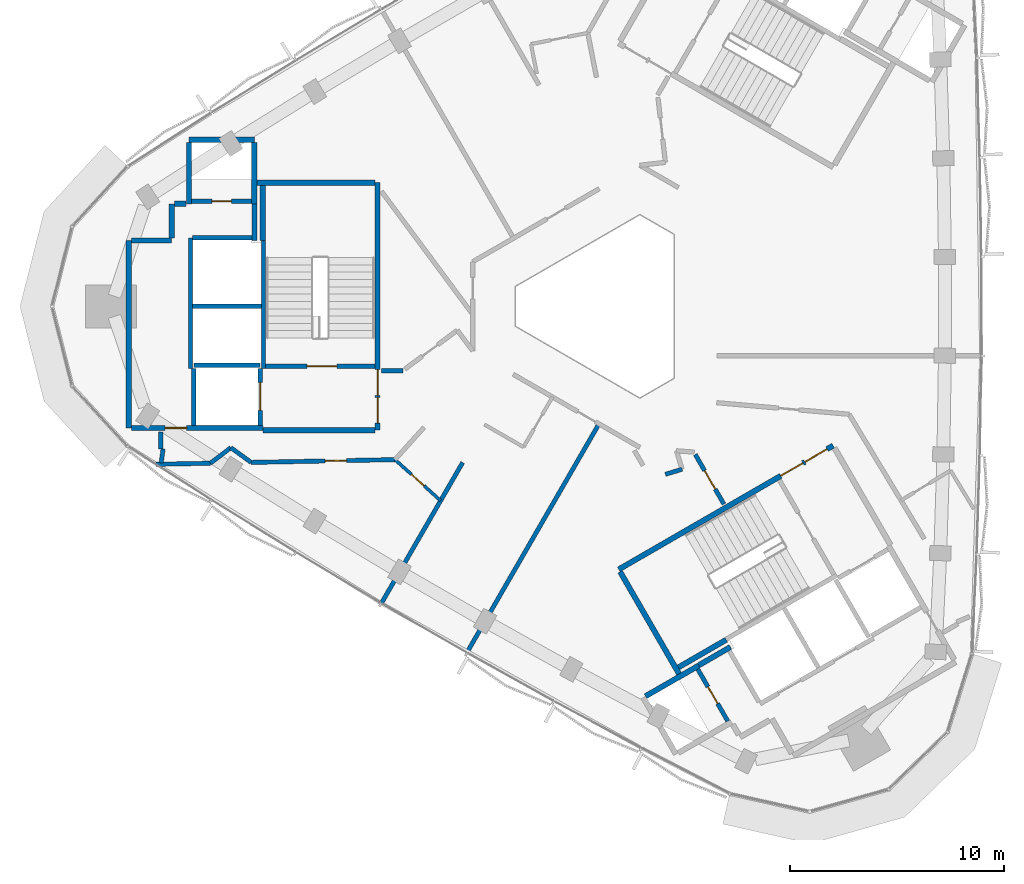
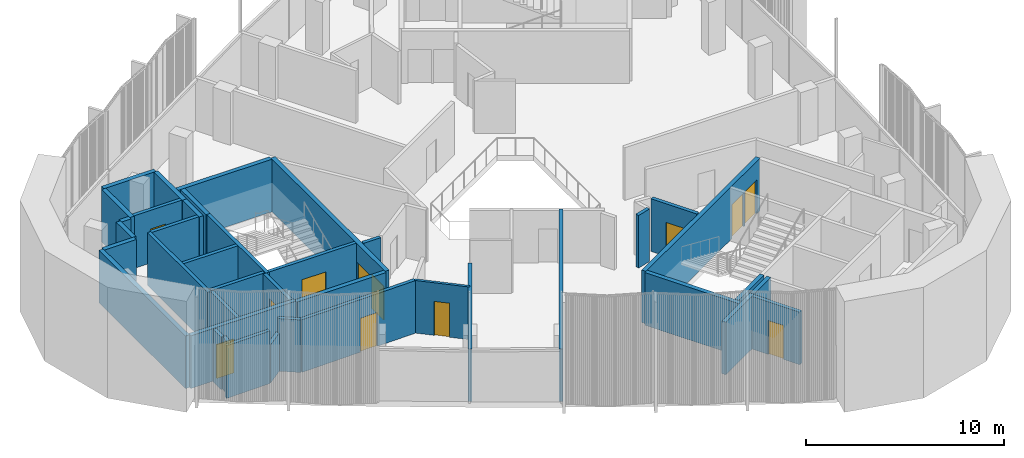
# One storey, part 6 of 13: 40 walls, 12 doors, 12 openings.
"""IFC4 building model written with IfcOpenShell, lengths in metres."""

from ifc_helpers import new_model, si_unit, direction, frame, frame_2d, origin, place, context, subcontext, project, spatial, rectangle, extrude, material, layer, layer_set, type_object, element, fill, save


model = new_model("IFC4")

# Units and contexts
model_context = context("Model", 3, precision=1e-05, world=origin(), true_north=direction((0.0, 1.0)))
body_context = subcontext(model_context, "Body", "Model", "MODEL_VIEW")
ifc_project = project(units=[si_unit("LENGTHUNIT", "METRE"), si_unit("AREAUNIT", "SQUARE_METRE"), si_unit("VOLUMEUNIT", "CUBIC_METRE"), si_unit("PLANEANGLEUNIT", "RADIAN"), si_unit("MASSUNIT", "GRAM", prefix="KILO")], contexts=[model_context])

# Site, building, storey
site_placement = place(None, origin())
site = spatial("IfcSite", under=ifc_project, at=site_placement, CompositionType="ELEMENT")
building_placement = place(site_placement, origin())
building = spatial("IfcBuilding", under=site, at=building_placement, Name="Tamra Quay Hotel Tower", CompositionType="ELEMENT")
storey_placement = place(building_placement, frame((0.0, 0.0, 291.0)))
storey = spatial("IfcBuildingStorey", under=building, at=storey_placement, Name="L73", CompositionType="ELEMENT", Elevation=291.0)

# Walls
ifc_material_1 = material(Name="Concrete M70", Category="concrete")
ifc_layer_1 = layer(ifc_material_1, 0.199951171875)
ifc_layer_set_1 = layer_set([ifc_layer_1], Name="Concrete M70 core wall 200")
wall_type_1 = type_object("IfcWallType", Name="Concrete M70 core wall 200", PredefinedType="SHEAR", material=ifc_layer_set_1)
wall_1_placement = place(storey_placement, frame((-16.162109375, 3.073974609375, 0.0), z_axis=(0.0, 0.0, 1.0), x_axis=(0.0, -1.0, 0.0)))
element("IfcWall", 1, at=wall_1_placement, inside=storey, type_object=wall_type_1, Name="CW2", PredefinedType="SHEAR", context=body_context, shape_type="SweptSolid", body=[
    extrude(rectangle(XDim=5.97412109375, YDim=0.199951171875, at=frame_2d((2.987060546875, 0.0))), origin(), (0.0, 0.0, 1.0), 3.25),
])
wall_2_placement = place(storey_placement, frame((-19.5625, -2.900146484375, 0.0), z_axis=(0.0, 0.0, 1.0), x_axis=(0.0, 1.0, 0.0)))
element("IfcWall", 2, at=wall_2_placement, inside=storey, type_object=wall_type_1, Name="CW2", PredefinedType="SHEAR", context=body_context, shape_type="SweptSolid", body=[
    extrude(rectangle(XDim=6.100341796875, YDim=0.199951171875, at=frame_2d((3.05029296875, 0.0))), origin(), (0.0, 0.0, 1.0), 3.25),
])

# Wall, opening, door
wall_3_placement = place(storey_placement, frame((-10.96337890625, -2.800048828125, 0.0), z_axis=(0.0, 0.0, 1.0), x_axis=(-1.0, 0.0, 0.0)))
wall_3 = element("IfcWall", 3, at=wall_3_placement, inside=storey, type_object=wall_type_1, Name="CW2", PredefinedType="SHEAR", context=body_context, shape_type="SweptSolid", body=[
    extrude(rectangle(XDim=5.097900390625, YDim=0.199951171875, at=frame_2d((2.548828125, 0.0))), origin(), (0.0, 0.0, 1.0), 3.25),
])
opening_1_placement = place(wall_3_placement, frame((1.77392578125, 0.0, 0.0)))
opening_1 = element("IfcOpeningElement", 4, at=opening_1_placement, cuts=wall_3, Name="Opening FD2", PredefinedType="OPENING", context=body_context, shape_type="SweptSolid", body=[
    extrude(rectangle(XDim=1.39990234375, YDim=2.10009765625, at=frame_2d((0.699951171875, 1.050048828125))), frame((0.0, 0.10986328125, 0.0), z_axis=(0.0, -1.0, 0.0), x_axis=(1.0, 0.0, 0.0)), (0.0, 0.0, 1.0), 0.219970703125),
])
ifc_material_2 = material(Name="Core door FD2 1400x2100 LH")
door_type_1 = type_object("IfcDoorType", Name="Core door FD2 1400x2100 LH", OperationType="NOTDEFINED", PredefinedType="DOOR", material=ifc_material_2)
door_1_placement = place(opening_1_placement, origin())
door_1 = element("IfcDoor", 5, at=door_1_placement, inside=storey, type_object=door_type_1, Name="FD2", OperationType="SINGLE_SWING_LEFT", OverallHeight=2.10009765625, OverallWidth=1.39990234375, PredefinedType="DOOR", context=body_context, shape_type="SweptSolid", body=[
    extrude(rectangle(XDim=1.39990234375, YDim=2.10009765625, at=frame_2d((0.699951171875, 1.050048828125))), frame((0.0, 0.02490234375, 0.0), z_axis=(0.0, -1.0, 0.0), x_axis=(1.0, 0.0, 0.0)), (0.0, 0.0, 1.0), 0.050048828125),
])
fill(opening_1, door_1)

# Wall
wall_4_placement = place(storey_placement, frame((-16.26318359375, 0.0, 0.0), z_axis=(0.0, 0.0, 1.0), x_axis=(-1.0, 0.0, 0.0)))
element("IfcWall", 6, at=wall_4_placement, inside=storey, type_object=wall_type_1, Name="CW2", PredefinedType="SHEAR", context=body_context, shape_type="SweptSolid", body=[
    extrude(rectangle(XDim=3.1982421875, YDim=0.199951171875, at=frame_2d((1.59912109375, 0.0))), origin(), (0.0, 0.0, 1.0), 3.25),
])

# Wall, opening, door
wall_5_placement = place(storey_placement, frame((-19.51123046875, 4.91015625, 0.0), z_axis=(0.0, 0.0, 1.0), x_axis=(1.0, 0.0, 0.0)))
wall_5 = element("IfcWall", 7, at=wall_5_placement, inside=storey, type_object=wall_type_1, Name="CW2", PredefinedType="SHEAR", context=body_context, shape_type="SweptSolid", body=[
    extrude(rectangle(XDim=2.7978515625, YDim=0.199951171875, at=frame_2d((1.39892578125, 0.0))), origin(), (0.0, 0.0, 1.0), 3.25),
])
opening_2_placement = place(wall_5_placement, frame((0.948974609375, 0.0, 0.0)))
opening_2 = element("IfcOpeningElement", 8, at=opening_2_placement, cuts=wall_5, Name="Opening D1", PredefinedType="OPENING", context=body_context, shape_type="SweptSolid", body=[
    extrude(rectangle(XDim=0.89990234375, YDim=2.10009765625, at=frame_2d((0.449951171875, 1.050048828125))), frame((0.0, 0.10986328125, 0.0), z_axis=(0.0, -1.0, 0.0), x_axis=(1.0, 0.0, 0.0)), (0.0, 0.0, 1.0), 0.219970703125),
])
ifc_material_3 = material(Name="Core door D1 900x2100 RH")
door_type_2 = type_object("IfcDoorType", Name="Core door D1 900x2100 RH", OperationType="NOTDEFINED", PredefinedType="DOOR", material=ifc_material_3)
door_2_placement = place(opening_2_placement, origin())
door_2 = element("IfcDoor", 9, at=door_2_placement, inside=storey, type_object=door_type_2, Name="D1", OperationType="SINGLE_SWING_RIGHT", OverallHeight=2.10009765625, OverallWidth=0.89990234375, PredefinedType="DOOR", context=body_context, shape_type="SweptSolid", body=[
    extrude(rectangle(XDim=0.89990234375, YDim=2.10009765625, at=frame_2d((0.449951171875, 1.050048828125))), frame((0.0, 0.02490234375, 0.0), z_axis=(0.0, -1.0, 0.0), x_axis=(1.0, 0.0, 0.0)), (0.0, 0.0, 1.0), 0.050048828125),
])
fill(opening_2, door_2)

# Walls
wall_6_placement = place(storey_placement, frame((-19.46240234375, 3.2001953125, 0.0), z_axis=(0.0, 0.0, 1.0), x_axis=(1.0, 0.0, 0.0)))
element("IfcWall", 10, at=wall_6_placement, inside=storey, type_object=wall_type_1, Name="CW2", PredefinedType="SHEAR", context=body_context, shape_type="SweptSolid", body=[
    extrude(rectangle(XDim=2.759033203125, YDim=0.199951171875, at=frame_2d((1.37939453125, 0.0))), origin(), (0.0, 0.0, 1.0), 3.25),
])
wall_7_placement = place(storey_placement, frame((-19.412353515625, -2.75, 0.0), z_axis=(0.0, 0.0, 1.0), x_axis=(1.0, 0.0, 0.0)))
element("IfcWall", 11, at=wall_7_placement, inside=storey, type_object=wall_type_1, Name="CW2", PredefinedType="SHEAR", context=body_context, shape_type="SweptSolid", body=[
    extrude(rectangle(XDim=3.10009765625, YDim=0.199951171875, at=frame_2d((1.550048828125, 0.0))), origin(), (0.0, 0.0, 1.0), 3.25),
])

# Wall, opening, door
wall_8_placement = place(storey_placement, frame((-16.312255859375, -2.898193359375, 0.0), z_axis=(0.0, 0.0, 1.0), x_axis=(0.0, -1.0, 0.0)))
wall_8 = element("IfcWall", 12, at=wall_8_placement, inside=storey, type_object=wall_type_1, Name="CW2", PredefinedType="SHEAR", context=body_context, shape_type="SweptSolid", body=[
    extrude(rectangle(XDim=2.65087890625, YDim=0.199951171875, at=frame_2d((1.325439453125, 0.0))), origin(), (0.0, 0.0, 1.0), 3.25),
])
opening_3_placement = place(wall_8_placement, frame((0.65185546875, 0.0, 0.0)))
opening_3 = element("IfcOpeningElement", 13, at=opening_3_placement, cuts=wall_8, Name="Opening LD", PredefinedType="OPENING", context=body_context, shape_type="SweptSolid", body=[
    extrude(rectangle(XDim=1.300048828125, YDim=2.10009765625, at=frame_2d((0.64990234375, 1.050048828125))), frame((0.0, 0.10986328125, 0.0), z_axis=(0.0, -1.0, 0.0), x_axis=(1.0, 0.0, 0.0)), (0.0, 0.0, 1.0), 0.219970703125),
])
ifc_material_4 = material(Name="Landing door LD 1300 sliding to left")
door_type_3 = type_object("IfcDoorType", Name="Landing door LD 1300 sliding to left", OperationType="NOTDEFINED", PredefinedType="DOOR", material=ifc_material_4)
door_3_placement = place(opening_3_placement, origin())
door_3 = element("IfcDoor", 14, at=door_3_placement, inside=storey, type_object=door_type_3, Name="LD", OperationType="SLIDING_TO_LEFT", OverallHeight=2.10009765625, OverallWidth=1.300048828125, PredefinedType="DOOR", context=body_context, shape_type="SweptSolid", body=[
    extrude(rectangle(XDim=1.300048828125, YDim=2.10009765625, at=frame_2d((0.64990234375, 1.050048828125))), frame((0.0, 0.02490234375, 0.0), z_axis=(0.0, -1.0, 0.0), x_axis=(1.0, 0.0, 0.0)), (0.0, 0.0, 1.0), 0.050048828125),
])
fill(opening_3, door_3)

# Wall
wall_9_placement = place(storey_placement, frame((-19.412353515625, -5.549072265625, 0.0), z_axis=(0.0, 0.0, 1.0), x_axis=(0.0, 1.0, 0.0)))
element("IfcWall", 15, at=wall_9_placement, inside=storey, type_object=wall_type_1, Name="CW2", PredefinedType="SHEAR", context=body_context, shape_type="SweptSolid", body=[
    extrude(rectangle(XDim=2.65087890625, YDim=0.199951171875, at=frame_2d((1.325439453125, 0.0))), origin(), (0.0, 0.0, 1.0), 3.25),
])

# Wall, opening, door
wall_10_placement = place(storey_placement, frame((5.50341796875, -19.352294921875, 0.0), z_axis=(0.0, 0.0, 1.0), x_axis=(-0.499986818241, 0.866033014143, 0.0)))
wall_10 = element("IfcWall", 16, at=wall_10_placement, inside=storey, type_object=wall_type_1, Name="CW2", PredefinedType="SHEAR", context=body_context, shape_type="SweptSolid", body=[
    extrude(rectangle(XDim=2.7978515625, YDim=0.199951171875, at=frame_2d((1.39892578125, 0.0))), origin(), (0.0, 0.0, 1.0), 3.25),
])
opening_4_placement = place(wall_10_placement, frame((0.948974609375, 0.0, 0.0)))
opening_4 = element("IfcOpeningElement", 17, at=opening_4_placement, cuts=wall_10, Name="Opening D1", PredefinedType="OPENING", context=body_context, shape_type="SweptSolid", body=[
    extrude(rectangle(XDim=0.89990234375, YDim=2.10009765625, at=frame_2d((0.449951171875, 1.050048828125))), frame((0.0, 0.10986328125, 0.0), z_axis=(0.0, -1.0, 0.0), x_axis=(1.0, 0.0, 0.0)), (0.0, 0.0, 1.0), 0.219970703125),
])
ifc_material_5 = material(Name="Core door D1 900x2100 LH")
door_type_4 = type_object("IfcDoorType", Name="Core door D1 900x2100 LH", OperationType="NOTDEFINED", PredefinedType="DOOR", material=ifc_material_5)
door_4_placement = place(opening_4_placement, origin())
door_4 = element("IfcDoor", 18, at=door_4_placement, inside=storey, type_object=door_type_4, Name="D1", OperationType="SINGLE_SWING_LEFT", OverallHeight=2.10009765625, OverallWidth=0.89990234375, PredefinedType="DOOR", context=body_context, shape_type="SweptSolid", body=[
    extrude(rectangle(XDim=0.89990234375, YDim=2.10009765625, at=frame_2d((0.449951171875, 1.050048828125))), frame((0.0, 0.02490234375, 0.0), z_axis=(0.0, -1.0, 0.0), x_axis=(1.0, 0.0, 0.0)), (0.0, 0.0, 1.0), 0.050048828125),
])
fill(opening_4, door_4)

# Wall, openings, doors
ifc_layer_2 = layer(ifc_material_1, 0.25)
ifc_layer_set_2 = layer_set([ifc_layer_2], Name="Concrete M70 core wall 250")
wall_type_2 = type_object("IfcWallType", Name="Concrete M70 core wall 250", PredefinedType="SHEAR", material=ifc_layer_set_2)
wall_11_placement = place(storey_placement, frame((-10.83740234375, 5.77490234375, 0.0), z_axis=(0.0, 0.0, 1.0), x_axis=(0.0, -1.0, 0.0)))
wall_11 = element("IfcWall", 19, at=wall_11_placement, inside=storey, type_object=wall_type_2, Name="CW1", PredefinedType="SHEAR", context=body_context, shape_type="SweptSolid", body=[
    extrude(rectangle(XDim=11.5498046875, YDim=0.25, at=frame_2d((5.77490234375, 0.0))), origin(), (0.0, 0.0, 1.0), 3.25),
])
opening_5_placement = place(wall_11_placement, frame((10.02490234375, 0.0, 0.0)))
opening_5 = element("IfcOpeningElement", 20, at=opening_5_placement, cuts=wall_11, Name="Opening FD1", PredefinedType="OPENING", context=body_context, shape_type="SweptSolid", body=[
    extrude(rectangle(XDim=1.199951171875, YDim=2.10009765625, at=frame_2d((0.60009765625, 1.050048828125))), frame((0.0, 0.135009765625, 0.0), z_axis=(0.0, -1.0, 0.0), x_axis=(1.0, 0.0, 0.0)), (0.0, 0.0, 1.0), 0.27001953125),
])
opening_6_placement = place(wall_11_placement, frame((8.72509765625, 0.0, 0.0)))
opening_6 = element("IfcOpeningElement", 21, at=opening_6_placement, cuts=wall_11, Name="Opening FD1", PredefinedType="OPENING", context=body_context, shape_type="SweptSolid", body=[
    extrude(rectangle(XDim=1.199951171875, YDim=2.10009765625, at=frame_2d((0.60009765625, 1.050048828125))), frame((0.0, 0.135009765625, 0.0), z_axis=(0.0, -1.0, 0.0), x_axis=(1.0, 0.0, 0.0)), (0.0, 0.0, 1.0), 0.27001953125),
])
ifc_material_6 = material(Name="Core door FD1 1200x2100 LH")
door_type_5 = type_object("IfcDoorType", Name="Core door FD1 1200x2100 LH", OperationType="NOTDEFINED", PredefinedType="DOOR", material=ifc_material_6)
door_5_placement = place(opening_5_placement, origin())
door_5 = element("IfcDoor", 22, at=door_5_placement, inside=storey, type_object=door_type_5, Name="FD1", OperationType="SINGLE_SWING_LEFT", OverallHeight=2.10009765625, OverallWidth=1.199951171875, PredefinedType="DOOR", context=body_context, shape_type="SweptSolid", body=[
    extrude(rectangle(XDim=1.199951171875, YDim=2.10009765625, at=frame_2d((0.60009765625, 1.050048828125))), frame((0.0, 0.02490234375, 0.0), z_axis=(0.0, -1.0, 0.0), x_axis=(1.0, 0.0, 0.0)), (0.0, 0.0, 1.0), 0.050048828125),
])
fill(opening_5, door_5)
ifc_material_7 = material(Name="Core door FD1 1200x2100 RH")
door_type_6 = type_object("IfcDoorType", Name="Core door FD1 1200x2100 RH", OperationType="NOTDEFINED", PredefinedType="DOOR", material=ifc_material_7)
door_6_placement = place(opening_6_placement, origin())
door_6 = element("IfcDoor", 23, at=door_6_placement, inside=storey, type_object=door_type_6, Name="FD1", OperationType="SINGLE_SWING_RIGHT", OverallHeight=2.10009765625, OverallWidth=1.199951171875, PredefinedType="DOOR", context=body_context, shape_type="SweptSolid", body=[
    extrude(rectangle(XDim=1.199951171875, YDim=2.10009765625, at=frame_2d((0.60009765625, 1.050048828125))), frame((0.0, 0.02490234375, 0.0), z_axis=(0.0, -1.0, 0.0), x_axis=(1.0, 0.0, 0.0)), (0.0, 0.0, 1.0), 0.050048828125),
])
fill(opening_6, door_6)

# Wall
wall_12_placement = place(storey_placement, frame((-22.437255859375, -5.675048828125, 0.0), z_axis=(0.0, 0.0, 1.0), x_axis=(0.0, 1.0, 0.0)))
element("IfcWall", 24, at=wall_12_placement, inside=storey, type_object=wall_type_2, Name="CW1", PredefinedType="SHEAR", context=body_context, shape_type="SweptSolid", body=[
    extrude(rectangle(XDim=8.75, YDim=0.25, at=frame_2d((4.375, 0.0))), origin(), (0.0, 0.0, 1.0), 3.25),
])

# Wall, opening, door
wall_13_placement = place(storey_placement, frame((-16.187255859375, -5.675048828125, 0.0), z_axis=(0.0, 0.0, 1.0), x_axis=(-1.0, 0.0, 0.0)))
wall_13 = element("IfcWall", 25, at=wall_13_placement, inside=storey, type_object=wall_type_2, Name="CW1", PredefinedType="SHEAR", context=body_context, shape_type="SweptSolid", body=[
    extrude(rectangle(XDim=6.12451171875, YDim=0.25, at=frame_2d((3.062255859375, 0.0))), origin(), (0.0, 0.0, 1.0), 3.25),
])
opening_7_placement = place(wall_13_placement, frame((3.562744140625, 0.0, 0.0)))
opening_7 = element("IfcOpeningElement", 26, at=opening_7_placement, cuts=wall_13, Name="Opening FD3", PredefinedType="OPENING", context=body_context, shape_type="SweptSolid", body=[
    extrude(rectangle(XDim=1.0, YDim=2.10009765625, at=frame_2d((0.5, 1.050048828125))), frame((0.0, 0.135009765625, 0.0), z_axis=(0.0, -1.0, 0.0), x_axis=(1.0, 0.0, 0.0)), (0.0, 0.0, 1.0), 0.27001953125),
])
ifc_material_8 = material(Name="Core door FD3 1000x2100 LH")
door_type_7 = type_object("IfcDoorType", Name="Core door FD3 1000x2100 LH", OperationType="NOTDEFINED", PredefinedType="DOOR", material=ifc_material_8)
door_7_placement = place(opening_7_placement, origin())
door_7 = element("IfcDoor", 27, at=door_7_placement, inside=storey, type_object=door_type_7, Name="FD3", OperationType="SINGLE_SWING_LEFT", OverallHeight=2.10009765625, OverallWidth=1.0, PredefinedType="DOOR", context=body_context, shape_type="SweptSolid", body=[
    extrude(rectangle(XDim=1.0, YDim=2.10009765625, at=frame_2d((0.5, 1.050048828125))), frame((0.0, 0.02490234375, 0.0), z_axis=(0.0, -1.0, 0.0), x_axis=(1.0, 0.0, 0.0)), (0.0, 0.0, 1.0), 0.050048828125),
])
fill(opening_7, door_7)

# Walls
wall_14_placement = place(storey_placement, frame((-10.962646484375, -5.77490234375, 0.0), z_axis=(0.0, 0.0, 1.0), x_axis=(-1.0, 0.0, 0.0)))
element("IfcWall", 28, at=wall_14_placement, inside=storey, type_object=wall_type_2, Name="CW1", PredefinedType="SHEAR", context=body_context, shape_type="SweptSolid", body=[
    extrude(rectangle(XDim=5.224609375, YDim=0.25, at=frame_2d((2.6123046875, 0.0))), origin(), (0.0, 0.0, 1.0), 3.25),
])
wall_15_placement = place(storey_placement, frame((-16.47216796875, 5.77490234375, 0.0), z_axis=(0.0, 0.0, 1.0), x_axis=(1.0, 0.0, 0.0)))
element("IfcWall", 29, at=wall_15_placement, inside=storey, type_object=wall_type_2, Name="CW1", PredefinedType="SHEAR", context=body_context, shape_type="SweptSolid", body=[
    extrude(rectangle(XDim=5.509521484375, YDim=0.25, at=frame_2d((2.7548828125, 0.0))), origin(), (0.0, 0.0, 1.0), 3.25),
])
wall_16_placement = place(storey_placement, frame((-19.63720703125, 7.77490234375, 0.0), z_axis=(0.0, 0.0, 1.0), x_axis=(1.0, 0.0, 0.0)))
element("IfcWall", 30, at=wall_16_placement, inside=storey, type_object=wall_type_2, Name="CW1", PredefinedType="SHEAR", context=body_context, shape_type="SweptSolid", body=[
    extrude(rectangle(XDim=3.0498046875, YDim=0.25, at=frame_2d((1.52490234375, 0.0))), origin(), (0.0, 0.0, 1.0), 3.25),
])
for number, where, z_axis, x_axis, name in (
    (31, (-16.58740234375, 7.649658203125, 0.0), (0.0, 0.0, 1.0), (0.0, -1.0, 0.0), "CW1"),
    (32, (-19.63720703125, 4.784912109375, 0.0), (0.0, 0.0, 1.0), (0.0, 1.0, 0.0), "CW1"),
):
    element("IfcWall", number, at=place(storey_placement, frame(where, z_axis=z_axis, x_axis=x_axis)), inside=storey, type_object=wall_type_2, Name=name, PredefinedType="SHEAR", context=body_context, shape_type="SweptSolid", body=[
        extrude(rectangle(XDim=2.86474609375, YDim=0.25, at=frame_2d((1.432373046875, 0.0))), origin(), (0.0, 0.0, 1.0), 3.25),
    ])
wall_17_placement = place(storey_placement, frame((-16.187255859375, 3.074951171875, 0.0), z_axis=(0.0, 0.0, 1.0), x_axis=(0.0, 1.0, 0.0)))
element("IfcWall", 33, at=wall_17_placement, inside=storey, type_object=wall_type_2, Name="CW1", PredefinedType="SHEAR", context=body_context, shape_type="SweptSolid", body=[
    extrude(rectangle(XDim=2.57470703125, YDim=0.25, at=frame_2d((1.287353515625, 0.0))), origin(), (0.0, 0.0, 1.0), 3.25),
])
wall_18_placement = place(storey_placement, frame((-22.311767578125, 3.074951171875, 0.0), z_axis=(0.0, 0.0, 1.0), x_axis=(1.0, 0.0, 0.0)))
element("IfcWall", 34, at=wall_18_placement, inside=storey, type_object=wall_type_2, Name="CW1", PredefinedType="SHEAR", context=body_context, shape_type="SweptSolid", body=[
    extrude(rectangle(XDim=1.864501953125, YDim=0.25, at=frame_2d((0.93212890625, 0.0))), origin(), (0.0, 0.0, 1.0), 3.25),
])
wall_19_placement = place(storey_placement, frame((-16.577392578125, 4.784912109375, 0.0), z_axis=(0.0, 0.0, 1.0), x_axis=(0.0, -1.0, 0.0)))
element("IfcWall", 35, at=wall_19_placement, inside=storey, type_object=wall_type_2, Name="CW1", PredefinedType="SHEAR", context=body_context, shape_type="SweptSolid", body=[
    extrude(rectangle(XDim=1.7099609375, YDim=0.25, at=frame_2d((0.85498046875, 0.0))), origin(), (0.0, 0.0, 1.0), 3.25),
])
wall_20_placement = place(storey_placement, frame((-20.447265625, 3.200439453125, 0.0), z_axis=(0.0, 0.0, 1.0), x_axis=(0.0, 1.0, 0.0)))
element("IfcWall", 36, at=wall_20_placement, inside=storey, type_object=wall_type_2, Name="CW1", PredefinedType="SHEAR", context=body_context, shape_type="SweptSolid", body=[
    extrude(rectangle(XDim=1.58447265625, YDim=0.25, at=frame_2d((0.792236328125, 0.0))), origin(), (0.0, 0.0, 1.0), 3.25),
])
wall_21_placement = place(storey_placement, frame((-20.32177734375, 4.784912109375, 0.0), z_axis=(0.0, 0.0, 1.0), x_axis=(1.0, 0.0, 0.0)))
element("IfcWall", 37, at=wall_21_placement, inside=storey, type_object=wall_type_2, Name="CW1", PredefinedType="SHEAR", context=body_context, shape_type="SweptSolid", body=[
    extrude(rectangle(XDim=0.55908203125, YDim=0.25, at=frame_2d((0.279541015625, 0.0))), origin(), (0.0, 0.0, 1.0), 3.25),
])

# Wall, openings, doors
wall_22_placement = place(storey_placement, frame((0.417236328125, -12.27294921875, 0.0), z_axis=(0.0, 0.0, 1.0), x_axis=(0.866021906294, 0.500006057782, 0.0)))
wall_22 = element("IfcWall", 38, at=wall_22_placement, inside=storey, type_object=wall_type_2, Name="CW1", PredefinedType="SHEAR", context=body_context, shape_type="SweptSolid", body=[
    extrude(rectangle(XDim=11.550048828125, YDim=0.25, at=frame_2d((5.77490234375, 0.0))), origin(), (0.0, 0.0, 1.0), 3.25),
])
opening_8_placement = place(wall_22_placement, frame((10.024658203125, 0.0, 0.0)))
opening_8 = element("IfcOpeningElement", 39, at=opening_8_placement, cuts=wall_22, Name="Opening FD1", PredefinedType="OPENING", context=body_context, shape_type="SweptSolid", body=[
    extrude(rectangle(XDim=1.199951171875, YDim=2.10009765625, at=frame_2d((0.60009765625, 1.050048828125))), frame((0.0, 0.135009765625, 0.0), z_axis=(0.0, -1.0, 0.0), x_axis=(1.0, 0.0, 0.0)), (0.0, 0.0, 1.0), 0.27001953125),
])
opening_9_placement = place(wall_22_placement, frame((8.724609375, 0.0, 0.0)))
opening_9 = element("IfcOpeningElement", 40, at=opening_9_placement, cuts=wall_22, Name="Opening FD1", PredefinedType="OPENING", context=body_context, shape_type="SweptSolid", body=[
    extrude(rectangle(XDim=1.199951171875, YDim=2.10009765625, at=frame_2d((0.60009765625, 1.050048828125))), frame((0.0, 0.135009765625, 0.0), z_axis=(0.0, -1.0, 0.0), x_axis=(1.0, 0.0, 0.0)), (0.0, 0.0, 1.0), 0.27001953125),
])
door_8_placement = place(opening_8_placement, origin())
door_8 = element("IfcDoor", 41, at=door_8_placement, inside=storey, type_object=door_type_5, Name="FD1", OperationType="SINGLE_SWING_LEFT", OverallHeight=2.10009765625, OverallWidth=1.199951171875, PredefinedType="DOOR", context=body_context, shape_type="SweptSolid", body=[
    extrude(rectangle(XDim=1.199951171875, YDim=2.10009765625, at=frame_2d((0.60009765625, 1.050048828125))), frame((0.0, 0.02490234375, 0.0), z_axis=(0.0, -1.0, 0.0), x_axis=(1.0, 0.0, 0.0)), (0.0, 0.0, 1.0), 0.050048828125),
])
fill(opening_8, door_8)
door_9_placement = place(opening_9_placement, origin())
door_9 = element("IfcDoor", 42, at=door_9_placement, inside=storey, type_object=door_type_6, Name="FD1", OperationType="SINGLE_SWING_RIGHT", OverallHeight=2.10009765625, OverallWidth=1.199951171875, PredefinedType="DOOR", context=body_context, shape_type="SweptSolid", body=[
    extrude(rectangle(XDim=1.199951171875, YDim=2.10009765625, at=frame_2d((0.60009765625, 1.050048828125))), frame((0.0, 0.02490234375, 0.0), z_axis=(0.0, -1.0, 0.0), x_axis=(1.0, 0.0, 0.0)), (0.0, 0.0, 1.0), 0.050048828125),
])
fill(opening_9, door_9)

# Walls
wall_23_placement = place(storey_placement, frame((3.23486328125, -17.15283203125, 0.0), z_axis=(0.0, 0.0, 1.0), x_axis=(-0.500008851346, 0.866020293397, 0.0)))
element("IfcWall", 43, at=wall_23_placement, inside=storey, type_object=wall_type_2, Name="CW1", PredefinedType="SHEAR", context=body_context, shape_type="SweptSolid", body=[
    extrude(rectangle(XDim=5.509765625, YDim=0.25, at=frame_2d((2.7548828125, 0.0))), origin(), (0.0, 0.0, 1.0), 3.25),
])
wall_24_placement = place(storey_placement, frame((1.6689453125, -18.189697265625, 0.0), z_axis=(0.0, 0.0, 1.0), x_axis=(0.866042235819, 0.499970844928, 0.0)))
element("IfcWall", 44, at=wall_24_placement, inside=storey, type_object=wall_type_2, Name="CW1", PredefinedType="SHEAR", context=body_context, shape_type="SweptSolid", body=[
    extrude(rectangle(XDim=2.864501953125, YDim=0.25, at=frame_2d((1.43212890625, 0.0))), origin(), (0.0, 0.0, 1.0), 3.25),
])
wall_25_placement = place(storey_placement, frame((5.4306640625, -15.55615234375, 0.0), z_axis=(0.0, 0.0, 1.0), x_axis=(-0.866022940537, -0.500004266446, 0.0)))
element("IfcWall", 45, at=wall_25_placement, inside=storey, type_object=wall_type_2, Name="CW1", PredefinedType="SHEAR", context=body_context, shape_type="SweptSolid", body=[
    extrude(rectangle(XDim=2.57470703125, YDim=0.25, at=frame_2d((1.287353515625, 0.0))), origin(), (0.0, 0.0, 1.0), 3.25),
])
wall_26_placement = place(storey_placement, frame((4.144775390625, -16.748779296875, 0.0), z_axis=(0.0, 0.0, 1.0), x_axis=(0.866038183914, 0.499977863513, 0.0)))
element("IfcWall", 46, at=wall_26_placement, inside=storey, type_object=wall_type_2, Name="CW1", PredefinedType="SHEAR", context=body_context, shape_type="SweptSolid", body=[
    extrude(rectangle(XDim=1.7099609375, YDim=0.25, at=frame_2d((0.85498046875, 0.0))), origin(), (0.0, 0.0, 1.0), 3.25),
])
ifc_material_9 = material(Name="Partition corridor wall")
ifc_layer_3 = layer(ifc_material_9, 0.199951171875)
ifc_layer_set_3 = layer_set([ifc_layer_3], Name="Partition corridor wall")
wall_type_3 = type_object("IfcWallType", Name="Partition corridor wall", PredefinedType="PARTITIONING", material=ifc_layer_set_3)
wall_27_placement = place(storey_placement, frame((-20.949951171875, -6.64990234375, 0.0), z_axis=(0.0, 0.0, 1.0), x_axis=(0.0, 1.0, 0.0)))
element("IfcWall", 47, at=wall_27_placement, inside=storey, type_object=wall_type_3, Name="W-C", PredefinedType="PARTITIONING", context=body_context, shape_type="SweptSolid", body=[
    extrude(rectangle(XDim=0.789794921875, YDim=0.199951171875, at=frame_2d((0.39501953125, 0.0))), origin(), (0.0, 0.0, 1.0), 3.25),
])
wall_28_placement = place(storey_placement, frame((-20.928955078125, -7.304931640625, 0.0), z_axis=(0.0, 0.0, 1.0), x_axis=(0.125718385971, 0.992065969293, 0.0)))
element("IfcWall", 48, at=wall_28_placement, inside=storey, type_object=wall_type_3, Name="W-C", PredefinedType="PARTITIONING", context=body_context, shape_type="SweptSolid", body=[
    extrude(rectangle(XDim=0.66015625, YDim=0.199951171875, at=frame_2d((0.330078125, 0.0))), origin(), (0.0, 0.0, 1.0), 3.25),
])
wall_29_placement = place(storey_placement, frame((-21.177001953125, -7.368896484375, 0.0), z_axis=(0.0, 0.0, 1.0), x_axis=(0.999808930271, 0.019547453804, 0.0)))
element("IfcWall", 49, at=wall_29_placement, inside=storey, type_object=wall_type_3, Name="W-C", PredefinedType="PARTITIONING", context=body_context, shape_type="SweptSolid", body=[
    extrude(rectangle(XDim=2.535400390625, YDim=0.199951171875, at=frame_2d((1.267578125, 0.0))), origin(), (0.0, 0.0, 1.0), 3.25),
])
wall_30_placement = place(storey_placement, frame((-18.64208984375, -7.319091796875, 0.0), z_axis=(0.0, 0.0, 1.0), x_axis=(0.798707882989, 0.601718968998, 0.0)))
element("IfcWall", 50, at=wall_30_placement, inside=storey, type_object=wall_type_3, Name="W-C", PredefinedType="PARTITIONING", context=body_context, shape_type="SweptSolid", body=[
    extrude(rectangle(XDim=1.203369140625, YDim=0.199951171875, at=frame_2d((0.6015625, 0.0))), origin(), (0.0, 0.0, 1.0), 2.35009765625),
])
wall_31_placement = place(storey_placement, frame((-17.680908203125, -6.594970703125, 0.0), z_axis=(0.0, 0.0, 1.0), x_axis=(0.810123213102, -0.586259652026, 0.0)))
element("IfcWall", 51, at=wall_31_placement, inside=storey, type_object=wall_type_3, Name="W-C", PredefinedType="PARTITIONING", context=body_context, shape_type="SweptSolid", body=[
    extrude(rectangle(XDim=1.170166015625, YDim=0.199951171875, at=frame_2d((0.5849609375, 0.0))), origin(), (0.0, 0.0, 1.0), 3.25),
])

# Wall, opening, door
wall_32_placement = place(storey_placement, frame((-16.73193359375, -7.281982421875, 0.0), z_axis=(0.0, 0.0, 1.0), x_axis=(0.999809119854, 0.019537754635, 0.0)))
wall_32 = element("IfcWall", 52, at=wall_32_placement, inside=storey, type_object=wall_type_3, Name="W-C", PredefinedType="PARTITIONING", context=body_context, shape_type="SweptSolid", body=[
    extrude(rectangle(XDim=6.710205078125, YDim=0.199951171875, at=frame_2d((3.35498046875, 0.0))), origin(), (0.0, 0.0, 1.0), 3.25),
])
opening_10_placement = place(wall_32_placement, frame((3.451171875, 0.0, 0.0)))
opening_10 = element("IfcOpeningElement", 53, at=opening_10_placement, cuts=wall_32, Name="Opening L73-D009", PredefinedType="OPENING", context=body_context, shape_type="SweptSolid", body=[
    extrude(rectangle(XDim=1.0, YDim=2.10009765625, at=frame_2d((0.5, 1.050048828125))), frame((0.0, 0.10986328125, 0.0), z_axis=(0.0, -1.0, 0.0), x_axis=(1.0, 0.0, 0.0)), (0.0, 0.0, 1.0), 0.219970703125),
])
ifc_material_10 = material(Name="Door guest room 1000x2100")
door_type_8 = type_object("IfcDoorType", Name="Door guest room 1000x2100", OperationType="NOTDEFINED", PredefinedType="DOOR", material=ifc_material_10)
door_10_placement = place(opening_10_placement, frame((1.0, 0.0, 0.0), z_axis=(0.0, 0.0, 1.0), x_axis=(-1.0, 0.0, 0.0)))
door_10 = element("IfcDoor", 54, at=door_10_placement, inside=storey, type_object=door_type_8, Name="L73-D009", OperationType="SINGLE_SWING_LEFT", OverallHeight=2.10009765625, OverallWidth=1.0, PredefinedType="DOOR", context=body_context, shape_type="SweptSolid", body=[
    extrude(rectangle(XDim=1.0, YDim=2.10009765625, at=frame_2d((0.5, 1.050048828125))), frame((0.0, 0.02490234375, 0.0), z_axis=(0.0, -1.0, 0.0), x_axis=(1.0, 0.0, 0.0)), (0.0, 0.0, 1.0), 0.050048828125),
])
fill(opening_10, door_10)

# Walls
wall_33_placement = place(storey_placement, frame((-10.65234375, -3.0, 0.0), z_axis=(0.0, 0.0, 1.0), x_axis=(1.0, 0.0, 0.0)))
element("IfcWall", 55, at=wall_33_placement, inside=storey, type_object=wall_type_3, Name="W-C", PredefinedType="PARTITIONING", context=body_context, shape_type="SweptSolid", body=[
    extrude(rectangle(XDim=0.994384765625, YDim=0.199951171875, at=frame_2d((0.4970703125, 0.0))), origin(), (0.0, 0.0, 1.0), 3.25),
])
wall_34_placement = place(storey_placement, frame((2.591064453125, -7.8369140625, 0.0), z_axis=(0.0, 0.0, 1.0), x_axis=(0.956974070788, 0.290173444409, 0.0)))
element("IfcWall", 56, at=wall_34_placement, inside=storey, type_object=wall_type_3, Name="W-C", PredefinedType="PARTITIONING", context=body_context, shape_type="SweptSolid", body=[
    extrude(rectangle(XDim=0.816162109375, YDim=0.199951171875, at=frame_2d((0.408203125, 0.0))), origin(), (0.0, 0.0, 1.0), 3.25),
])

# Wall, opening, door
wall_35_placement = place(storey_placement, frame((3.987060546875, -6.910888671875, 0.0), z_axis=(0.0, 0.0, 1.0), x_axis=(0.499458942258, -0.866337558345, 0.0)))
wall_35 = element("IfcWall", 57, at=wall_35_placement, inside=storey, type_object=wall_type_3, Name="W-C", PredefinedType="PARTITIONING", context=body_context, shape_type="SweptSolid", body=[
    extrude(rectangle(XDim=2.673828125, YDim=0.199951171875, at=frame_2d((1.3369140625, 0.0))), origin(), (0.0, 0.0, 1.0), 3.25),
])
opening_11_placement = place(wall_35_placement, frame((0.8671875, 0.0, 0.0)))
opening_11 = element("IfcOpeningElement", 58, at=opening_11_placement, cuts=wall_35, Name="Opening L73-D013", PredefinedType="OPENING", context=body_context, shape_type="SweptSolid", body=[
    extrude(rectangle(XDim=1.0, YDim=2.10009765625, at=frame_2d((0.5, 1.050048828125))), frame((0.0, 0.10986328125, 0.0), z_axis=(0.0, -1.0, 0.0), x_axis=(1.0, 0.0, 0.0)), (0.0, 0.0, 1.0), 0.219970703125),
])
door_11_placement = place(opening_11_placement, frame((1.0, 0.0, 0.0), z_axis=(0.0, 0.0, 1.0), x_axis=(-1.0, 0.0, 0.0)))
door_11 = element("IfcDoor", 59, at=door_11_placement, inside=storey, type_object=door_type_8, Name="L73-D013", OperationType="SINGLE_SWING_LEFT", OverallHeight=2.10009765625, OverallWidth=1.0, PredefinedType="DOOR", context=body_context, shape_type="SweptSolid", body=[
    extrude(rectangle(XDim=1.0, YDim=2.10009765625, at=frame_2d((0.5, 1.050048828125))), frame((0.0, 0.02490234375, 0.0), z_axis=(0.0, -1.0, 0.0), x_axis=(1.0, 0.0, 0.0)), (0.0, 0.0, 1.0), 0.050048828125),
])
fill(opening_11, door_11)

ifc_material_11 = material(Name="Partition en-suite wall")
ifc_layer_4 = layer(ifc_material_11, 0.14990234375)
ifc_layer_set_4 = layer_set([ifc_layer_4], Name="Partition en-suite wall")
wall_type_4 = type_object("IfcWallType", Name="Partition en-suite wall", PredefinedType="PARTITIONING", material=ifc_layer_set_4)
wall_36_placement = place(storey_placement, frame((-10.02294921875, -7.15087890625, 0.0), z_axis=(0.0, 0.0, 1.0), x_axis=(0.743463699468, -0.668776291127, 0.0)))
wall_36 = element("IfcWall", 60, at=wall_36_placement, inside=storey, type_object=wall_type_4, Name="W-E", PredefinedType="PARTITIONING", context=body_context, shape_type="SweptSolid", body=[
    extrude(rectangle(XDim=2.863525390625, YDim=0.14990234375, at=frame_2d((1.431640625, 0.0))), origin(), (0.0, 0.0, 1.0), 3.25),
])
opening_12_placement = place(wall_36_placement, frame((1.03173828125, 0.0, 0.0)))
opening_12 = element("IfcOpeningElement", 61, at=opening_12_placement, cuts=wall_36, Name="Opening L73-D010", PredefinedType="OPENING", context=body_context, shape_type="SweptSolid", body=[
    extrude(rectangle(XDim=0.800048828125, YDim=2.10009765625, at=frame_2d((0.39990234375, 1.050048828125))), frame((0.0, 0.0849609375, 0.0), z_axis=(0.0, -1.0, 0.0), x_axis=(1.0, 0.0, 0.0)), (0.0, 0.0, 1.0), 0.169921875),
])
ifc_material_12 = material(Name="Door en-suite 800x2100")
door_type_9 = type_object("IfcDoorType", Name="Door en-suite 800x2100", OperationType="NOTDEFINED", PredefinedType="DOOR", material=ifc_material_12)
door_12_placement = place(opening_12_placement, frame((0.800048828125, 0.0, 0.0), z_axis=(0.0, 0.0, 1.0), x_axis=(-1.0, 0.0, 0.0)))
door_12 = element("IfcDoor", 62, at=door_12_placement, inside=storey, type_object=door_type_9, Name="L73-D010", OperationType="SINGLE_SWING_LEFT", OverallHeight=2.10009765625, OverallWidth=0.800048828125, PredefinedType="DOOR", context=body_context, shape_type="SweptSolid", body=[
    extrude(rectangle(XDim=0.800048828125, YDim=2.10009765625, at=frame_2d((0.39990234375, 1.050048828125))), frame((0.0, 0.02490234375, 0.0), z_axis=(0.0, -1.0, 0.0), x_axis=(1.0, 0.0, 0.0)), (0.0, 0.0, 1.0), 0.050048828125),
])
fill(opening_12, door_12)

# Walls
ifc_material_13 = material(Name="Partition party wall")
ifc_layer_5 = layer(ifc_material_13, 0.199951171875)
ifc_layer_set_5 = layer_set([ifc_layer_5], Name="Partition party wall")
wall_type_5 = type_object("IfcWallType", Name="Partition party wall", PredefinedType="PARTITIONING", material=ifc_layer_set_5)
wall_37_placement = place(storey_placement, frame((-10.6591796875, -13.85595703125, 0.0), z_axis=(0.0, 0.0, 1.0), x_axis=(0.49995742368, 0.866049983839, 0.0)))
element("IfcWall", 63, at=wall_37_placement, inside=storey, type_object=wall_type_5, Name="W-P", PredefinedType="PARTITIONING", context=body_context, shape_type="SweptSolid", body=[
    extrude(rectangle(XDim=7.585205078125, YDim=0.199951171875, at=frame_2d((3.79248046875, 0.0))), origin(), (0.0, 0.0, 1.0), 3.25),
])
wall_38_placement = place(storey_placement, frame((-6.669677734375, -16.1591796875, 0.0), z_axis=(0.0, 0.0, 1.0), x_axis=(0.500017276951, 0.866015428702, 0.0)))
element("IfcWall", 64, at=wall_38_placement, inside=storey, type_object=wall_type_5, Name="W-P", PredefinedType="PARTITIONING", context=body_context, shape_type="SweptSolid", body=[
    extrude(rectangle(XDim=12.3291015625, YDim=0.199951171875, at=frame_2d((6.16455078125, 0.0))), origin(), (0.0, 0.0, 1.0), 3.25),
])

save(model, "model.ifc")
